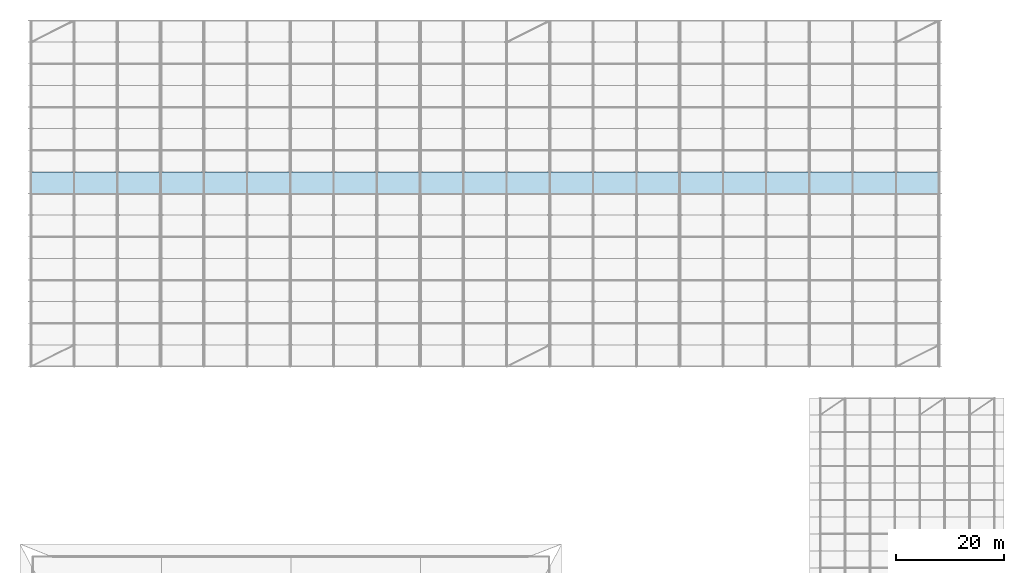
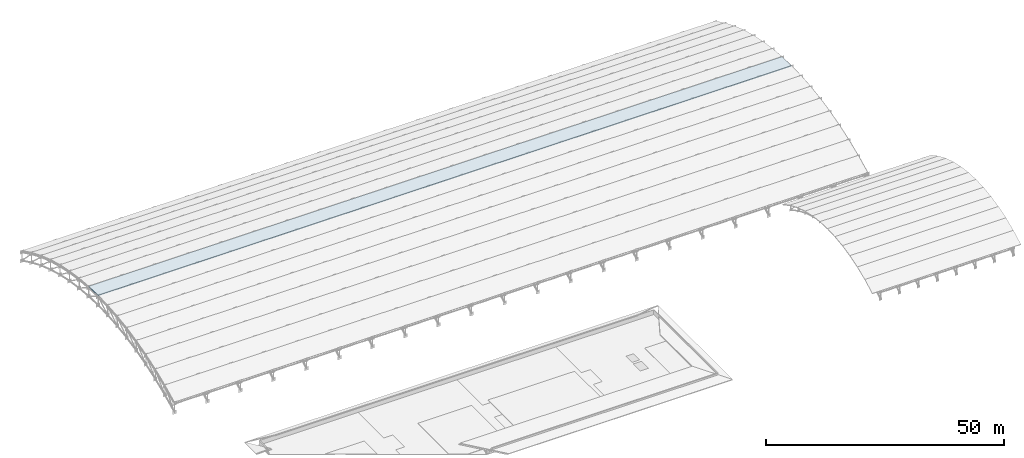
# One storey, part 78 of 98: 1 slab.
"""IFC4 building model written with IfcOpenShell, lengths in metres."""

from ifc_helpers import new_model, si_unit, direction, frame, origin, place, context, subcontext, project, spatial, polyline, outline, extrude, material, layer, layer_set, type_object, element, save


model = new_model("IFC4")

# Units and contexts
model_context = context("Model", 3, precision=1e-05, world=origin(), true_north=direction((0.0, 1.0)))
body_context = subcontext(model_context, "Body", "Model", "MODEL_VIEW")
ifc_project = project(units=[si_unit("LENGTHUNIT", "METRE"), si_unit("AREAUNIT", "SQUARE_METRE"), si_unit("VOLUMEUNIT", "CUBIC_METRE"), si_unit("PLANEANGLEUNIT", "RADIAN"), si_unit("MASSUNIT", "GRAM", prefix="KILO")], contexts=[model_context])

# Site, building, storey
site_placement = place(None, origin())
site = spatial("IfcSite", under=ifc_project, at=site_placement, CompositionType="ELEMENT")
building_placement = place(site_placement, origin())
building = spatial("IfcBuilding", under=site, at=building_placement, Name="Tlacozan Convention Centre", CompositionType="ELEMENT")
storey_placement = place(building_placement, frame((0.0, 0.0, 25.800048828125)))
storey = spatial("IfcBuildingStorey", under=building, at=storey_placement, Name="Roof", CompositionType="ELEMENT", Elevation=25.800048828125)

# Slab
ifc_material = material(Name="Concrete C40/50", Category="concrete")
ifc_layer = layer(ifc_material, 0.179931640625)
ifc_layer_set = layer_set([ifc_layer], Name="Concrete C40/50")
slab_type = type_object("IfcSlabType", Name="Exhibition Arched Roof Deck 180", PredefinedType="ROOF", material=ifc_layer_set)
slab_placement = place(storey_placement, frame((0.0, 94.0, -2.2900390625), z_axis=(0.0, 0.029406222899, 0.999567543518), x_axis=(1.0, 0.0, 0.0)))
element("IfcSlab", 1, at=slab_placement, inside=storey, type_object=slab_type, Name="V2A Arched Roof Facet Slab 9", PredefinedType="ROOF", context=body_context, shape_type="SweptSolid", body=[
    extrude(outline(polyline([(0.0, 0.0), (168.0, 0.0), (168.0, 4.001730574325662), (0.0, 4.001730574325662), (0.0, 0.0)])), origin(), (0.0, 0.0, -1.0), 0.179931640625),
])

save(model, "model.ifc")
